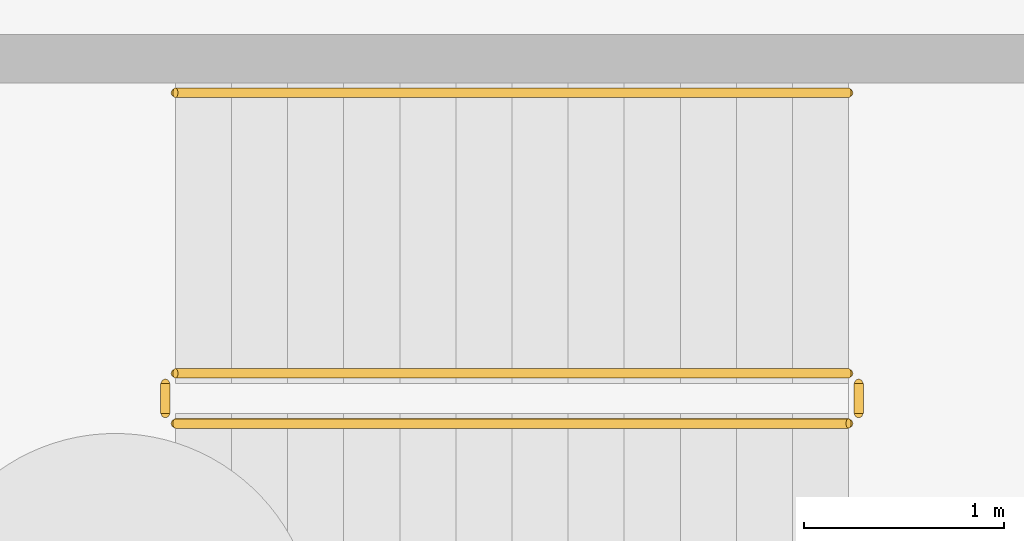
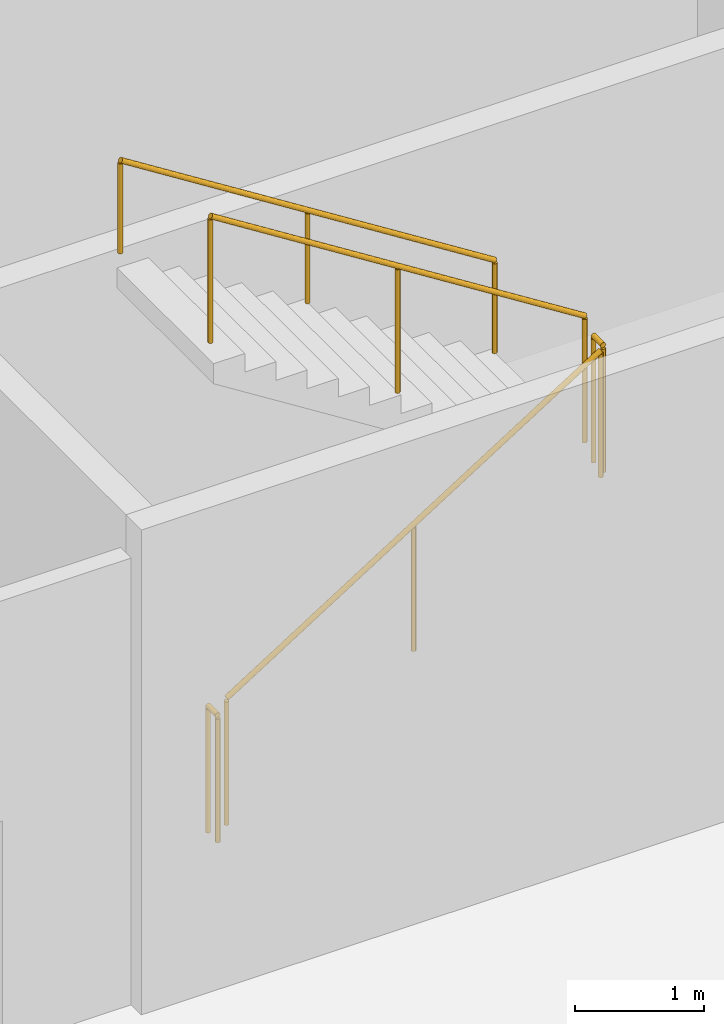
# One storey, part 6 of 8: 5 railings.
"""IFC4 building model written with IfcOpenShell, lengths in metres."""

from ifc_helpers import new_model, si_unit, direction, frame, origin, origin_2d, place, context, subcontext, project, spatial, circle, extrude, material, type_object, element, save


model = new_model("IFC4")

# Units and contexts
model_context = context("Model", 3, precision=1e-05, world=origin(), true_north=direction((0.0, 1.0)))
body_context = subcontext(model_context, "Body", "Model", "MODEL_VIEW")
ifc_project = project(units=[si_unit("LENGTHUNIT", "METRE"), si_unit("AREAUNIT", "SQUARE_METRE"), si_unit("VOLUMEUNIT", "CUBIC_METRE"), si_unit("PLANEANGLEUNIT", "RADIAN"), si_unit("MASSUNIT", "GRAM", prefix="KILO")], contexts=[model_context])

# Site, building, storey
site_placement = place(None, origin())
site = spatial("IfcSite", under=ifc_project, at=site_placement, CompositionType="ELEMENT")
building_placement = place(site_placement, origin())
building = spatial("IfcBuilding", under=site, at=building_placement, Name="Qianrong Seaharbour Tower", CompositionType="ELEMENT")
storey_placement = place(building_placement, frame((0.0, 0.0, -13.800048828125)))
storey = spatial("IfcBuildingStorey", under=building, at=storey_placement, Name="B03", CompositionType="ELEMENT", Elevation=-13.800048828125)

# Railings
ifc_material_1 = material(Name="Galvanized painted steel SN400B stair guard", Category="steel")
railing_type_1 = type_object("IfcRailingType", Name="RAIL-STAIR-GUARD-1220", PredefinedType="GUARDRAIL", material=ifc_material_1)
railing_1_placement = place(storey_placement, frame((33.300048828125, 45.64990234375, 0.177001953125)))
element("IfcRailing", 1, at=railing_1_placement, inside=storey, type_object=railing_type_1, Name="B03 BST-1 stair guard 1", PredefinedType="GUARDRAIL", context=body_context, shape_type="SweptSolid", body=[
    extrude(circle(Radius=0.02392578125, at=origin_2d()), frame((0.0, 0.0, 1.19580078125), z_axis=(0.845372108799, 0.0, 0.534177870812), x_axis=(0.0, 1.0, 0.0)), (0.0, 0.0, 1.0), 3.974365234375),
    extrude(circle(Radius=0.02099609375, at=origin_2d()), origin(), (0.0, 0.0, 1.0), 1.171875),
    extrude(circle(Radius=0.02099609375, at=origin_2d()), frame((1.679931640625, 0.0, 1.0615234375)), (0.0, 0.0, 1.0), 1.171875),
    extrude(circle(Radius=0.02099609375, at=origin_2d()), frame((3.35986328125, 0.0, 2.123046875)), (0.0, 0.0, 1.0), 1.171875),
])
railing_2_placement = place(storey_placement, frame((36.7099609375, 45.699951171875, 2.300048828125)))
element("IfcRailing", 2, at=railing_2_placement, inside=storey, type_object=railing_type_1, Name="B03 BST-1 stair guard 2", PredefinedType="GUARDRAIL", context=body_context, shape_type="SweptSolid", body=[
    extrude(circle(Radius=0.02392578125, at=origin_2d()), frame((0.0, 0.0, 1.19580078125), z_axis=(0.0, 1.0, 0.0), x_axis=(-1.0, 0.0, 0.0)), (0.0, 0.0, 1.0), 0.150146484375),
    extrude(circle(Radius=0.02099609375, at=origin_2d()), origin(), (0.0, 0.0, 1.0), 1.171875),
    extrude(circle(Radius=0.02099609375, at=origin_2d()), frame((0.0, 0.150146484375, 0.0)), (0.0, 0.0, 1.0), 1.171875),
])
railing_3_placement = place(storey_placement, frame((36.659912109375, 45.89990234375, 2.47705078125)))
element("IfcRailing", 3, at=railing_3_placement, inside=storey, type_object=railing_type_1, Name="B03 BST-1 stair guard 3", PredefinedType="GUARDRAIL", context=body_context, shape_type="SweptSolid", body=[
    extrude(circle(Radius=0.02392578125, at=origin_2d()), frame((0.0, 0.0, 1.19580078125), z_axis=(-0.845372108799, 0.0, 0.534177870812), x_axis=(0.0, -1.0, 0.0)), (0.0, 0.0, 1.0), 3.974365234375),
    extrude(circle(Radius=0.02099609375, at=origin_2d()), origin(), (0.0, 0.0, 1.0), 1.171875),
    extrude(circle(Radius=0.02099609375, at=origin_2d()), frame((-1.679931640625, 0.0, 1.0615234375)), (0.0, 0.0, 1.0), 1.171875),
    extrude(circle(Radius=0.02099609375, at=origin_2d()), frame((-3.35986328125, 0.0, 2.123046875)), (0.0, 0.0, 1.0), 1.171875),
])
railing_4_placement = place(storey_placement, frame((33.25, 45.699951171875, 0.0)))
element("IfcRailing", 4, at=railing_4_placement, inside=storey, type_object=railing_type_1, Name="B03 BST-1 stair guard 4", PredefinedType="GUARDRAIL", context=body_context, shape_type="SweptSolid", body=[
    extrude(circle(Radius=0.02392578125, at=origin_2d()), frame((0.0, 0.0, 1.19580078125), z_axis=(0.0, 1.0, 0.0), x_axis=(-1.0, 0.0, 0.0)), (0.0, 0.0, 1.0), 0.150146484375),
    extrude(circle(Radius=0.02099609375, at=origin_2d()), origin(), (0.0, 0.0, 1.0), 1.171875),
    extrude(circle(Radius=0.02099609375, at=origin_2d()), frame((0.0, 0.150146484375, 0.0)), (0.0, 0.0, 1.0), 1.171875),
])
ifc_material_2 = material(Name="Stainless steel SUS316L continuous handrail", Category="steel")
railing_type_2 = type_object("IfcRailingType", Name="RAIL-STAIR-HANDRAIL-900", PredefinedType="HANDRAIL", material=ifc_material_2)
railing_5_placement = place(storey_placement, frame((36.659912109375, 47.300048828125, 2.47705078125)))
element("IfcRailing", 5, at=railing_5_placement, inside=storey, type_object=railing_type_2, Name="B03 BST-1 stair handrail 2", PredefinedType="HANDRAIL", context=body_context, shape_type="SweptSolid", body=[
    extrude(circle(Radius=0.02392578125, at=origin_2d()), frame((0.0, 0.0, 0.8759765625), z_axis=(-0.845372108799, 0.0, 0.534177870812), x_axis=(0.0, -1.0, 0.0)), (0.0, 0.0, 1.0), 3.974365234375),
    extrude(circle(Radius=0.02099609375, at=origin_2d()), origin(), (0.0, 0.0, 1.0), 0.851806640625),
    extrude(circle(Radius=0.02099609375, at=origin_2d()), frame((-1.679931640625, 0.0, 1.0615234375)), (0.0, 0.0, 1.0), 0.851806640625),
    extrude(circle(Radius=0.02099609375, at=origin_2d()), frame((-3.35986328125, 0.0, 2.123046875)), (0.0, 0.0, 1.0), 0.851806640625),
])

save(model, "model.ifc")
